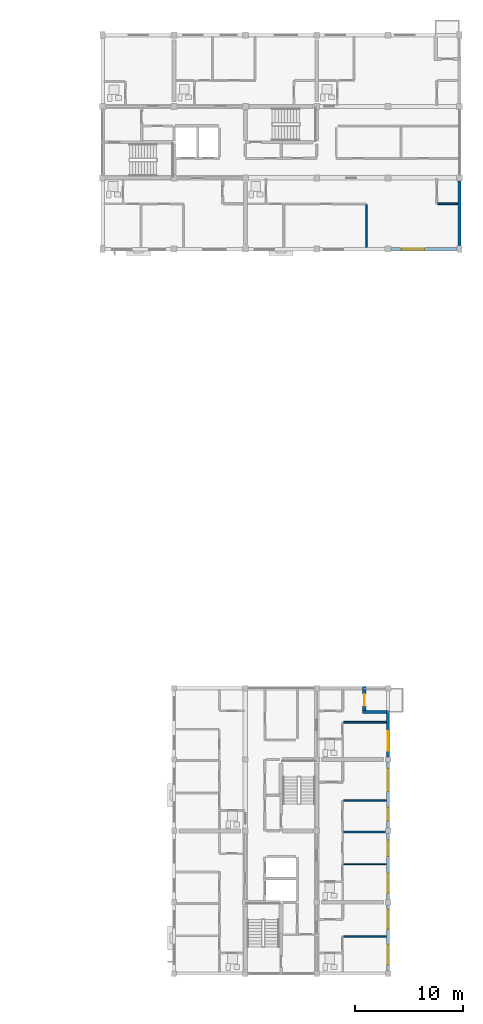
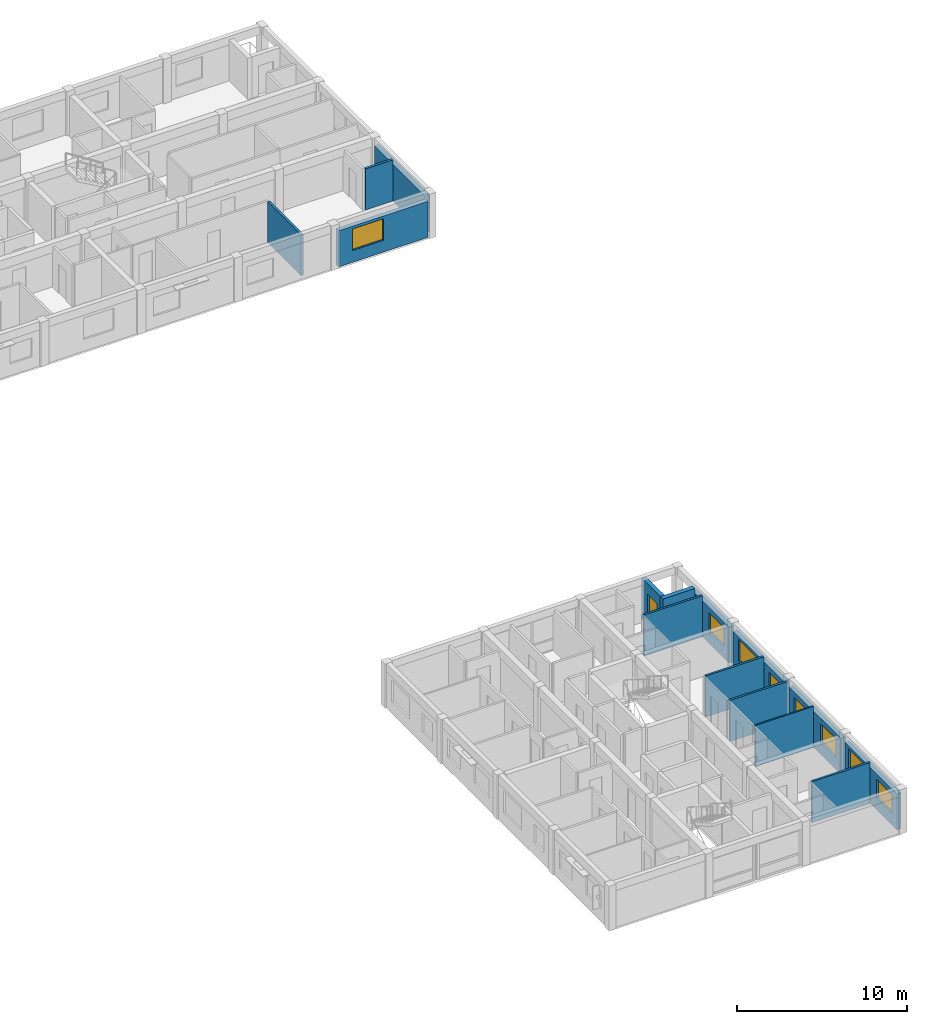
# One storey, part 39 of 52: 15 walls, 8 windows, 1 door, 9 openings.
"""IFC4 building model written with IfcOpenShell, lengths in metres."""

import ifcopenshell
import ifcopenshell.guid

model = None  # the IFC model being written
_history = None  # IfcOwnerHistory: only IFC2X3 demands one
_inside = {}  # id of a spatial element -> (the spatial element, [elements in it])
_under = {}  # id of a project, library or spatial element -> (it, [spatial elements below it])
_declared = {}  # id of a project -> (the project, [libraries it declares])
_typed = {}  # id of a type object -> (the type object, [elements of that type])
_made_of = {}  # id of a material, layer set ... -> (it, [elements and type objects made of it])


def new_model(schema):
    """Start an empty IFC model of exactly this schema.

    Asked for "IFC4X3", IfcOpenShell would pick the latest addendum, in which some entities
    have other attributes; the version numbers below select the first issue.
    IFC2X3 requires an IfcOwnerHistory on every rooted entity: one is made here for all.
    """
    global model, _history
    if schema == "IFC4X3":
        model = ifcopenshell.file(schema_version=(4, 3, 0, 0))
    else:
        model = ifcopenshell.file(schema=schema)
    _inside.clear()
    _under.clear()
    _declared.clear()
    _typed.clear()
    _made_of.clear()
    _history = None
    if model.schema == "IFC2X3":
        org = make("IfcOrganization", Name="unknown")
        user = make(
            "IfcPersonAndOrganization",
            ThePerson=make("IfcPerson", FamilyName="unknown"),
            TheOrganization=org,
        )
        app = make(
            "IfcApplication",
            ApplicationDeveloper=org,
            Version="unknown",
            ApplicationFullName="unknown",
            ApplicationIdentifier="unknown",
        )
        _history = make(
            "IfcOwnerHistory",
            OwningUser=user,
            OwningApplication=app,
            ChangeAction="ADDED",
            CreationDate=0,
        )
    return model


def make(cls, **values):
    """One entity of the class cls with the attributes given. An attribute that is None is left unset."""
    return model.create_entity(
        cls, **{name: value for name, value in values.items() if value is not None}
    )


def rooted(cls, **values):
    """An entity with a GlobalId (a new one), such as an element, a storey or a relation."""
    return make(cls, GlobalId=ifcopenshell.guid.new(), OwnerHistory=_history, **values)


def si_unit(unit_type, name, prefix=None):
    """IfcSIUnit, for example si_unit("LENGTHUNIT", "METRE", prefix="MILLI")."""
    return make("IfcSIUnit", UnitType=unit_type, Prefix=prefix, Name=name)


def assignment(units):
    """IfcUnitAssignment: the units of a project."""
    return None if units is None else make("IfcUnitAssignment", Units=units)


def point(xyz):
    """IfcCartesianPoint."""
    return None if xyz is None else make("IfcCartesianPoint", Coordinates=xyz)


def direction(xyz):
    """IfcDirection."""
    return None if xyz is None else make("IfcDirection", DirectionRatios=xyz)


def frame(location, z_axis=None, x_axis=None):
    """IfcAxis2Placement3D, a coordinate frame: its origin and axes. An axis left out is left unset."""
    return make(
        "IfcAxis2Placement3D",
        Location=point(location),
        Axis=direction(z_axis),
        RefDirection=direction(x_axis),
    )


def frame_2d(location, x_axis=None):
    """IfcAxis2Placement2D, a coordinate frame in the plane: its origin and x axis."""
    return make(
        "IfcAxis2Placement2D", Location=point(location), RefDirection=direction(x_axis)
    )


def origin():
    """The frame at (0, 0, 0) with its axes left unset."""
    return frame((0.0, 0.0, 0.0))


def place(relative_to, where):
    """IfcLocalPlacement: puts the frame where relative to a parent placement (None: the world)."""
    return make(
        "IfcLocalPlacement", PlacementRelTo=relative_to, RelativePlacement=where
    )


def context(
    kind, dimensions, precision=None, world=None, true_north=None, identifier=None
):
    """IfcGeometricRepresentationContext, for example the 3D "Model" context."""
    return make(
        "IfcGeometricRepresentationContext",
        ContextIdentifier=identifier,
        ContextType=kind,
        CoordinateSpaceDimension=dimensions,
        Precision=precision,
        WorldCoordinateSystem=world,
        TrueNorth=true_north,
    )


def subcontext(parent, identifier, kind, view, scale=None):
    """IfcGeometricRepresentationSubContext, for example "Body" below "Model"."""
    return make(
        "IfcGeometricRepresentationSubContext",
        ContextIdentifier=identifier,
        ContextType=kind,
        ParentContext=parent,
        TargetScale=scale,
        TargetView=view,
    )


def project(units=None, contexts=None):
    """IfcProject with its units and contexts."""
    return rooted(
        "IfcProject",
        Name="project",
        RepresentationContexts=contexts,
        UnitsInContext=assignment(units),
    )


def spatial(cls, under=None, at=None, **own):
    """A site, building, storey or space (cls), placed at a placement, below another one or the project."""
    s = rooted(cls, ObjectPlacement=at, **own)
    if under is not None:
        _under.setdefault(under.id(), (under, []))[1].append(s)
    return s


def profile(cls, at=None, kind="AREA", **sizes):
    """A parametric profile (cls). Its sizes go by their IFC names, for example OverallWidth=200.0."""
    return make(cls, ProfileType=kind, Position=at, **sizes)


def rectangle(**sizes):
    """IfcRectangleProfileDef."""
    return profile("IfcRectangleProfileDef", **sizes)


def extrude(swept, where, along, depth):
    """IfcExtrudedAreaSolid: the profile swept, set in the frame where, extruded along a direction by depth."""
    return make(
        "IfcExtrudedAreaSolid",
        SweptArea=swept,
        Position=where,
        ExtrudedDirection=direction(along),
        Depth=depth,
    )


def shape(context_of_items, identifier, shape_type, items):
    """IfcShapeRepresentation: the items that make up one representation, for example the "Body"."""
    return make(
        "IfcShapeRepresentation",
        ContextOfItems=context_of_items,
        RepresentationIdentifier=identifier,
        RepresentationType=shape_type,
        Items=items,
    )


def material(Name=None, Category=None):
    """IfcMaterial."""
    return make("IfcMaterial", Name=Name, Category=Category)


def layer(
    of_material, thickness, ventilated=None, Name=None, Category=None, Priority=None
):
    """IfcMaterialLayer: one layer of a wall or slab, of a material (None: an air gap)."""
    return make(
        "IfcMaterialLayer",
        Material=of_material,
        LayerThickness=thickness,
        IsVentilated=ventilated,
        Name=Name,
        Category=Category,
        Priority=Priority,
    )


def layer_set(layers, Name=None):
    """IfcMaterialLayerSet."""
    return make("IfcMaterialLayerSet", MaterialLayers=layers, LayerSetName=Name)


def made_of(thing, what):
    """Note that an element or type object is made of a material, layer set ...; save() writes the relation."""
    if what is not None:
        _made_of.setdefault(what.id(), (what, []))[1].append(thing)
    return thing


def type_object(cls, material=None, **own):
    """A type object (cls), such as IfcWallType, which elements share."""
    return made_of(rooted(cls, **own), material)


def element(
    cls,
    number,
    at=None,
    inside=None,
    cuts=None,
    type_object=None,
    material=None,
    context=None,
    identifier="Body",
    shape_type=None,
    held_by="IfcProductDefinitionShape",
    body=None,
    shapes=None,
    **own,
):
    """One element of the class cls, such as IfcWall. Its Tag is "e" and its number.

    at: its placement. inside: the storey or other place that contains it. cuts: it is an
    opening in that element (IfcRelVoidsElement). A single representation is given by context,
    identifier, shape_type and body (its items); several are given by shapes. held_by: the class
    of the entity that holds the representations. save() writes the other relations.
    """
    e = rooted(cls, Tag="e%d" % number, ObjectPlacement=at, **own)
    if body is not None:
        shapes = [shape(context, identifier, shape_type, body)]
    if shapes is not None:
        e.Representation = make(held_by, Representations=shapes)
    if inside is not None:
        _inside.setdefault(inside.id(), (inside, []))[1].append(e)
    if cuts is not None:
        rooted(
            "IfcRelVoidsElement", RelatingBuildingElement=cuts, RelatedOpeningElement=e
        )
    if type_object is not None:
        _typed.setdefault(type_object.id(), (type_object, []))[1].append(e)
    return made_of(e, material)


def fill(opening, filler):
    """IfcRelFillsElement: the door or window that sits in an opening."""
    return rooted(
        "IfcRelFillsElement",
        RelatingOpeningElement=opening,
        RelatedBuildingElement=filler,
    )


def aggregate(whole, parts):
    """IfcRelAggregates: a whole, such as a stair, and the parts it consists of."""
    return rooted("IfcRelAggregates", RelatingObject=whole, RelatedObjects=parts)


def save(model, path):
    """Write the relations noted so far, then the file.

    IfcRelAggregates (storeys below a building ...), IfcRelContainedInSpatialStructure (elements
    in a storey), IfcRelDefinesByType, IfcRelAssociatesMaterial and IfcRelDeclares: one each for
    every whole, place, type object, material and project.
    """
    for whole, parts in _under.values():
        aggregate(whole, parts)
    for where, things in _inside.values():
        rooted(
            "IfcRelContainedInSpatialStructure",
            RelatedElements=things,
            RelatingStructure=where,
        )
    for kind, things in _typed.values():
        rooted("IfcRelDefinesByType", RelatedObjects=things, RelatingType=kind)
    for what, things in _made_of.values():
        rooted("IfcRelAssociatesMaterial", RelatedObjects=things, RelatingMaterial=what)
    for by, libraries in _declared.values():
        rooted("IfcRelDeclares", RelatingContext=by, RelatedDefinitions=libraries)
    model.write(path)


model = new_model("IFC4")

# Units and contexts
model_context = context("Model", 3, precision=1e-05, world=origin(), true_north=direction((0.0, 1.0)))
body_context = subcontext(model_context, "Body", "Model", "MODEL_VIEW")
ifc_project = project(units=[si_unit("LENGTHUNIT", "METRE"), si_unit("AREAUNIT", "SQUARE_METRE"), si_unit("VOLUMEUNIT", "CUBIC_METRE"), si_unit("PLANEANGLEUNIT", "RADIAN"), si_unit("MASSUNIT", "GRAM", prefix="KILO")], contexts=[model_context])

# Site, building, storey
site_placement = place(None, origin())
site = spatial("IfcSite", under=ifc_project, at=site_placement, CompositionType="ELEMENT")
building_placement = place(site_placement, origin())
building = spatial("IfcBuilding", under=site, at=building_placement, Name="Kernevlak Ridge Housing Community", CompositionType="ELEMENT")
storey_placement = place(building_placement, frame((0.0, 0.0, 11.60009765625)))
storey = spatial("IfcBuildingStorey", under=building, at=storey_placement, Name="L03", CompositionType="ELEMENT", Elevation=11.60009765625)

# Wall, opening, window
ifc_material_1 = material(Name="Concrete block masonry M10", Category="masonry")
ifc_layer_1 = layer(ifc_material_1, 0.300048828125, Name="Concrete block masonry M10")
ifc_layer_set_1 = layer_set([ifc_layer_1], Name="Concrete block masonry M10")
wall_type_1 = type_object("IfcWallType", Name="EW-01", PredefinedType="STANDARD", material=ifc_layer_set_1)
wall_1_placement = place(storey_placement, frame((146.074951171875, 82.60009765625, 0.0), z_axis=(0.0, 0.0, 1.0), x_axis=(1.0, 0.0, 0.0)))
wall_1 = element("IfcWall", 1, at=wall_1_placement, inside=storey, type_object=wall_type_1, Name="Exterior wall EW-01 L03 343", PredefinedType="STANDARD", context=body_context, shape_type="SweptSolid", body=[
    extrude(rectangle(XDim=6.10009765625, YDim=0.300048828125, at=frame_2d((3.050048828125, 0.0))), origin(), (0.0, 0.0, 1.0), 2.599853515625),
])
opening_1_placement = place(wall_1_placement, frame((0.968994140625, 0.0, 0.85009765625)))
opening_1 = element("IfcOpeningElement", 2, at=opening_1_placement, cuts=wall_1, Name="Opening WT-05", PredefinedType="OPENING", context=body_context, shape_type="SweptSolid", body=[
    extrude(rectangle(XDim=2.10009765625, YDim=1.550048828125, at=frame_2d((1.050048828125, 0.77490234375))), frame((0.0, 0.159912109375, 0.0), z_axis=(0.0, -1.0, 0.0), x_axis=(1.0, 0.0, 0.0)), (0.0, 0.0, 1.0), 0.320068359375),
])
ifc_material_2 = material(Name="Aluminium EN AW-6060 anodised and laminated glass", Category="aluminium")
window_type_1 = type_object("IfcWindowType", Name="WT-05", PartitioningType="SINGLE_PANEL", PredefinedType="WINDOW", material=ifc_material_2)
window_1_placement = place(opening_1_placement, origin())
window_1 = element("IfcWindow", 3, at=window_1_placement, inside=storey, type_object=window_type_1, Name="Window WT-05 L03 264", OverallHeight=1.550048828125, OverallWidth=2.10009765625, PartitioningType="SINGLE_PANEL", PredefinedType="WINDOW", context=body_context, shape_type="SweptSolid", body=[
    extrude(rectangle(XDim=2.10009765625, YDim=1.550048828125, at=frame_2d((1.050048828125, 0.77490234375))), frame((0.0, 0.030029296875, 0.0), z_axis=(0.0, -1.0, 0.0), x_axis=(1.0, 0.0, 0.0)), (0.0, 0.0, 1.0), 0.06005859375),
])
fill(opening_1, window_1)

# Wall
wall_2_placement = place(storey_placement, frame((152.39990234375, 82.925048828125, 0.0), z_axis=(0.0, 0.0, 1.0), x_axis=(0.0, 1.0, 0.0)))
element("IfcWall", 4, at=wall_2_placement, inside=storey, type_object=wall_type_1, Name="Exterior wall EW-01 L03 353", PredefinedType="STANDARD", context=body_context, shape_type="SweptSolid", body=[
    extrude(rectangle(XDim=6.0, YDim=0.300048828125, at=frame_2d((3.0, 0.0))), origin(), (0.0, 0.0, 1.0), 2.64990234375),
])

# Wall, openings, windows
wall_3_placement = place(storey_placement, frame((145.800048828125, 15.85009765625, 0.0), z_axis=(0.0, 0.0, 1.0), x_axis=(0.0, 1.0, 0.0)))
wall_3 = element("IfcWall", 5, at=wall_3_placement, inside=storey, type_object=wall_type_1, Name="Exterior wall EW-01 L03 576", PredefinedType="STANDARD", context=body_context, shape_type="SweptSolid", body=[
    extrude(rectangle(XDim=6.099853515625, YDim=0.300048828125, at=frame_2d((3.0498046875, 0.0))), origin(), (0.0, 0.0, 1.0), 2.599853515625),
])
opening_2_placement = place(wall_3_placement, frame((0.574951171875, 0.0, 0.85009765625)))
opening_2 = element("IfcOpeningElement", 6, at=opening_2_placement, cuts=wall_3, Name="Opening WT-03", PredefinedType="OPENING", context=body_context, shape_type="SweptSolid", body=[
    extrude(rectangle(XDim=1.800048828125, YDim=1.35009765625, at=frame_2d((0.89990234375, 0.675048828125))), frame((0.0, 0.159912109375, 0.0), z_axis=(0.0, -1.0, 0.0), x_axis=(1.0, 0.0, 0.0)), (0.0, 0.0, 1.0), 0.320068359375),
])
opening_3_placement = place(wall_3_placement, frame((3.875, 0.0, 0.85009765625)))
opening_3 = element("IfcOpeningElement", 7, at=opening_3_placement, cuts=wall_3, Name="Opening WT-04", PredefinedType="OPENING", context=body_context, shape_type="SweptSolid", body=[
    extrude(rectangle(XDim=1.800048828125, YDim=1.550048828125, at=frame_2d((0.89990234375, 0.77490234375))), frame((0.0, 0.159912109375, 0.0), z_axis=(0.0, -1.0, 0.0), x_axis=(1.0, 0.0, 0.0)), (0.0, 0.0, 1.0), 0.320068359375),
])
window_type_2 = type_object("IfcWindowType", Name="WT-03", PartitioningType="SINGLE_PANEL", PredefinedType="WINDOW", material=ifc_material_2)
window_2_placement = place(opening_2_placement, origin())
window_2 = element("IfcWindow", 8, at=window_2_placement, inside=storey, type_object=window_type_2, Name="Window WT-03 L03 465", OverallHeight=1.35009765625, OverallWidth=1.800048828125, PartitioningType="SINGLE_PANEL", PredefinedType="WINDOW", context=body_context, shape_type="SweptSolid", body=[
    extrude(rectangle(XDim=1.800048828125, YDim=1.35009765625, at=frame_2d((0.89990234375, 0.675048828125))), frame((0.0, 0.030029296875, 0.0), z_axis=(0.0, -1.0, 0.0), x_axis=(1.0, 0.0, 0.0)), (0.0, 0.0, 1.0), 0.06005859375),
])
fill(opening_2, window_2)
window_type_3 = type_object("IfcWindowType", Name="WT-04", PartitioningType="SINGLE_PANEL", PredefinedType="WINDOW", material=ifc_material_2)
window_3_placement = place(opening_3_placement, origin())
window_3 = element("IfcWindow", 9, at=window_3_placement, inside=storey, type_object=window_type_3, Name="Window WT-04 L03 466", OverallHeight=1.550048828125, OverallWidth=1.800048828125, PartitioningType="SINGLE_PANEL", PredefinedType="WINDOW", context=body_context, shape_type="SweptSolid", body=[
    extrude(rectangle(XDim=1.800048828125, YDim=1.550048828125, at=frame_2d((0.89990234375, 0.77490234375))), frame((0.0, 0.030029296875, 0.0), z_axis=(0.0, -1.0, 0.0), x_axis=(1.0, 0.0, 0.0)), (0.0, 0.0, 1.0), 0.06005859375),
])
fill(opening_3, window_3)

wall_4_placement = place(storey_placement, frame((145.800048828125, 22.449951171875, 0.0), z_axis=(0.0, 0.0, 1.0), x_axis=(0.0, 1.0, 0.0)))
wall_4 = element("IfcWall", 10, at=wall_4_placement, inside=storey, type_object=wall_type_1, Name="Exterior wall EW-01 L03 577", PredefinedType="STANDARD", context=body_context, shape_type="SweptSolid", body=[
    extrude(rectangle(XDim=6.10009765625, YDim=0.300048828125, at=frame_2d((3.050048828125, 0.0))), origin(), (0.0, 0.0, 1.0), 2.599853515625),
])
opening_4_placement = place(wall_4_placement, frame((0.60009765625, 0.0, 0.85009765625)))
opening_4 = element("IfcOpeningElement", 11, at=opening_4_placement, cuts=wall_4, Name="Opening WT-03", PredefinedType="OPENING", context=body_context, shape_type="SweptSolid", body=[
    extrude(rectangle(XDim=1.800048828125, YDim=1.35009765625, at=frame_2d((0.89990234375, 0.675048828125))), frame((0.0, 0.159912109375, 0.0), z_axis=(0.0, -1.0, 0.0), x_axis=(1.0, 0.0, 0.0)), (0.0, 0.0, 1.0), 0.320068359375),
])
opening_5_placement = place(wall_4_placement, frame((4.0, 0.0, 0.85009765625)))
opening_5 = element("IfcOpeningElement", 12, at=opening_5_placement, cuts=wall_4, Name="Opening WT-02", PredefinedType="OPENING", context=body_context, shape_type="SweptSolid", body=[
    extrude(rectangle(XDim=1.5, YDim=1.35009765625, at=frame_2d((0.75, 0.675048828125))), frame((0.0, 0.159912109375, 0.0), z_axis=(0.0, -1.0, 0.0), x_axis=(1.0, 0.0, 0.0)), (0.0, 0.0, 1.0), 0.320068359375),
])
window_type_4 = type_object("IfcWindowType", Name="WT-02", PartitioningType="SINGLE_PANEL", PredefinedType="WINDOW", material=ifc_material_2)
window_4_placement = place(opening_5_placement, origin())
window_4 = element("IfcWindow", 13, at=window_4_placement, inside=storey, type_object=window_type_4, Name="Window WT-02 L03 468", OverallHeight=1.35009765625, OverallWidth=1.5, PartitioningType="SINGLE_PANEL", PredefinedType="WINDOW", context=body_context, shape_type="SweptSolid", body=[
    extrude(rectangle(XDim=1.5, YDim=1.35009765625, at=frame_2d((0.75, 0.675048828125))), frame((0.0, 0.030029296875, 0.0), z_axis=(0.0, -1.0, 0.0), x_axis=(1.0, 0.0, 0.0)), (0.0, 0.0, 1.0), 0.06005859375),
])
fill(opening_5, window_4)
window_5_placement = place(opening_4_placement, origin())
window_5 = element("IfcWindow", 14, at=window_5_placement, inside=storey, type_object=window_type_2, Name="Window WT-03 L03 467", OverallHeight=1.35009765625, OverallWidth=1.800048828125, PartitioningType="SINGLE_PANEL", PredefinedType="WINDOW", context=body_context, shape_type="SweptSolid", body=[
    extrude(rectangle(XDim=1.800048828125, YDim=1.35009765625, at=frame_2d((0.89990234375, 0.675048828125))), frame((0.0, 0.030029296875, 0.0), z_axis=(0.0, -1.0, 0.0), x_axis=(1.0, 0.0, 0.0)), (0.0, 0.0, 1.0), 0.06005859375),
])
fill(opening_4, window_5)

wall_5_placement = place(storey_placement, frame((145.800048828125, 29.050048828125, 0.0), z_axis=(0.0, 0.0, 1.0), x_axis=(0.0, 1.0, 0.0)))
wall_5 = element("IfcWall", 15, at=wall_5_placement, inside=storey, type_object=wall_type_1, Name="Exterior wall EW-01 L03 578", PredefinedType="STANDARD", context=body_context, shape_type="SweptSolid", body=[
    extrude(rectangle(XDim=6.099853515625, YDim=0.300048828125, at=frame_2d((3.0498046875, 0.0))), origin(), (0.0, 0.0, 1.0), 2.599853515625),
])
opening_6_placement = place(wall_5_placement, frame((0.699951171875, 0.0, 0.85009765625)))
opening_6 = element("IfcOpeningElement", 16, at=opening_6_placement, cuts=wall_5, Name="Opening WT-01", PredefinedType="OPENING", context=body_context, shape_type="SweptSolid", body=[
    extrude(rectangle(XDim=1.199951171875, YDim=1.35009765625, at=frame_2d((0.60009765625, 0.675048828125))), frame((0.0, 0.159912109375, 0.0), z_axis=(0.0, -1.0, 0.0), x_axis=(1.0, 0.0, 0.0)), (0.0, 0.0, 1.0), 0.320068359375),
])
opening_7_placement = place(wall_5_placement, frame((3.39990234375, 0.0, 0.85009765625)))
opening_7 = element("IfcOpeningElement", 17, at=opening_7_placement, cuts=wall_5, Name="Opening WT-05", PredefinedType="OPENING", context=body_context, shape_type="SweptSolid", body=[
    extrude(rectangle(XDim=2.10009765625, YDim=1.550048828125, at=frame_2d((1.050048828125, 0.77490234375))), frame((0.0, 0.159912109375, 0.0), z_axis=(0.0, -1.0, 0.0), x_axis=(1.0, 0.0, 0.0)), (0.0, 0.0, 1.0), 0.320068359375),
])
window_type_5 = type_object("IfcWindowType", Name="WT-01", PartitioningType="SINGLE_PANEL", PredefinedType="WINDOW", material=ifc_material_2)
window_6_placement = place(opening_6_placement, origin())
window_6 = element("IfcWindow", 18, at=window_6_placement, inside=storey, type_object=window_type_5, Name="Window WT-01 L03 469", OverallHeight=1.35009765625, OverallWidth=1.199951171875, PartitioningType="SINGLE_PANEL", PredefinedType="WINDOW", context=body_context, shape_type="SweptSolid", body=[
    extrude(rectangle(XDim=1.199951171875, YDim=1.35009765625, at=frame_2d((0.60009765625, 0.675048828125))), frame((0.0, 0.030029296875, 0.0), z_axis=(0.0, -1.0, 0.0), x_axis=(1.0, 0.0, 0.0)), (0.0, 0.0, 1.0), 0.06005859375),
])
fill(opening_6, window_6)
window_7_placement = place(opening_7_placement, origin())
window_7 = element("IfcWindow", 19, at=window_7_placement, inside=storey, type_object=window_type_1, Name="Window WT-05 L03 470", OverallHeight=1.550048828125, OverallWidth=2.10009765625, PartitioningType="SINGLE_PANEL", PredefinedType="WINDOW", context=body_context, shape_type="SweptSolid", body=[
    extrude(rectangle(XDim=2.10009765625, YDim=1.550048828125, at=frame_2d((1.050048828125, 0.77490234375))), frame((0.0, 0.030029296875, 0.0), z_axis=(0.0, -1.0, 0.0), x_axis=(1.0, 0.0, 0.0)), (0.0, 0.0, 1.0), 0.06005859375),
])
fill(opening_7, window_7)

# Wall, opening, window
wall_6_placement = place(storey_placement, frame((145.800048828125, 35.64990234375, 0.0), z_axis=(0.0, 0.0, 1.0), x_axis=(0.0, 1.0, 0.0)))
wall_6 = element("IfcWall", 20, at=wall_6_placement, inside=storey, type_object=wall_type_1, Name="Exterior wall EW-01 L03 579", PredefinedType="STANDARD", context=body_context, shape_type="SweptSolid", body=[
    extrude(rectangle(XDim=4.300048828125, YDim=0.300048828125, at=frame_2d((2.14990234375, 0.0))), origin(), (0.0, 0.0, 1.0), 2.599853515625),
])
opening_8_placement = place(wall_6_placement, frame((0.574951171875, 0.0, 0.85009765625)))
opening_8 = element("IfcOpeningElement", 21, at=opening_8_placement, cuts=wall_6, Name="Opening WT-03", PredefinedType="OPENING", context=body_context, shape_type="SweptSolid", body=[
    extrude(rectangle(XDim=1.800048828125, YDim=1.35009765625, at=frame_2d((0.89990234375, 0.675048828125))), frame((0.0, 0.159912109375, 0.0), z_axis=(0.0, -1.0, 0.0), x_axis=(1.0, 0.0, 0.0)), (0.0, 0.0, 1.0), 0.320068359375),
])
window_8_placement = place(opening_8_placement, origin())
window_8 = element("IfcWindow", 22, at=window_8_placement, inside=storey, type_object=window_type_2, Name="Window WT-03 L03 471", OverallHeight=1.35009765625, OverallWidth=1.800048828125, PartitioningType="SINGLE_PANEL", PredefinedType="WINDOW", context=body_context, shape_type="SweptSolid", body=[
    extrude(rectangle(XDim=1.800048828125, YDim=1.35009765625, at=frame_2d((0.89990234375, 0.675048828125))), frame((0.0, 0.030029296875, 0.0), z_axis=(0.0, -1.0, 0.0), x_axis=(1.0, 0.0, 0.0)), (0.0, 0.0, 1.0), 0.06005859375),
])
fill(opening_8, window_8)

# Wall
wall_7_placement = place(storey_placement, frame((145.64990234375, 39.800048828125, 0.0), z_axis=(0.0, 0.0, 1.0), x_axis=(-1.0, 0.0, 0.0)))
element("IfcWall", 23, at=wall_7_placement, inside=storey, type_object=wall_type_1, Name="Exterior wall EW-01 L03 580", PredefinedType="STANDARD", context=body_context, shape_type="SweptSolid", body=[
    extrude(rectangle(XDim=2.199951171875, YDim=0.300048828125, at=frame_2d((1.10009765625, 0.0))), origin(), (0.0, 0.0, 1.0), 2.9599609375),
])

# Wall, opening, door
wall_8_placement = place(storey_placement, frame((143.60009765625, 39.949951171875, 0.0), z_axis=(0.0, 0.0, 1.0), x_axis=(0.0, 1.0, 0.0)))
wall_8 = element("IfcWall", 24, at=wall_8_placement, inside=storey, type_object=wall_type_1, Name="Exterior wall EW-01 L03 581", PredefinedType="STANDARD", context=body_context, shape_type="SweptSolid", body=[
    extrude(rectangle(XDim=2.199951171875, YDim=0.300048828125, at=frame_2d((1.10009765625, 0.0))), origin(), (0.0, 0.0, 1.0), 2.9599609375),
])
opening_9_placement = place(wall_8_placement, frame((0.409912109375, 0.0, 0.0)))
opening_9 = element("IfcOpeningElement", 25, at=opening_9_placement, cuts=wall_8, Name="Opening E198", PredefinedType="OPENING", context=body_context, shape_type="SweptSolid", body=[
    extrude(rectangle(XDim=1.080078125, YDim=2.219970703125, at=frame_2d((0.5400390625, 1.10986328125))), frame((0.0, 0.159912109375, 0.0), z_axis=(0.0, -1.0, 0.0), x_axis=(1.0, 0.0, 0.0)), (0.0, 0.0, 1.0), 0.320068359375),
])
ifc_material_3 = material(Name="Aluminium EN AW-6060 and laminated safety glass", Category="aluminium")
door_type = type_object("IfcDoorType", Name="DT-34", OperationType="NOTDEFINED", PredefinedType="DOOR", material=ifc_material_3)
door_placement = place(opening_9_placement, origin())
door = element("IfcDoor", 26, at=door_placement, inside=storey, type_object=door_type, Name="Flat C0323 corner balcony glazed door E198", OperationType="SINGLE_SWING_LEFT", OverallHeight=2.219970703125, OverallWidth=1.080078125, PredefinedType="DOOR", context=body_context, shape_type="SweptSolid", body=[
    extrude(rectangle(XDim=1.080078125, YDim=2.219970703125, at=frame_2d((0.5400390625, 1.10986328125))), frame((0.0, 0.02490234375, 0.0), z_axis=(0.0, -1.0, 0.0), x_axis=(1.0, 0.0, 0.0)), (0.0, 0.0, 1.0), 0.050048828125),
])
fill(opening_9, door)

# Walls
ifc_layer_2 = layer(ifc_material_1, 0.14501953125, Name="Concrete block masonry M10")
ifc_layer_set_2 = layer_set([ifc_layer_2], Name="Concrete block masonry M10")
wall_type_2 = type_object("IfcWallType", Name="PW-03", PredefinedType="PARTITIONING", material=ifc_layer_set_2)
wall_9_placement = place(storey_placement, frame((143.7880859375, 86.717529296875, 0.0), z_axis=(0.0, 0.0, 1.0), x_axis=(0.0, -1.0, 0.0)))
element("IfcWall", 27, at=wall_9_placement, inside=storey, type_object=wall_type_2, Name="Interior wall PW-03 WAL-INT-L03-1364", PredefinedType="PARTITIONING", context=body_context, shape_type="SweptSolid", body=[
    extrude(rectangle(XDim=3.95751953125, YDim=0.14501953125, at=frame_2d((1.978759765625, 0.0))), origin(), (0.0, 0.0, 1.0), 2.9599609375),
])
wall_10_placement = place(storey_placement, frame((141.6826171875, 19.050048828125, 0.0), z_axis=(0.0, 0.0, 1.0), x_axis=(1.0, 0.0, 0.0)))
element("IfcWall", 28, at=wall_10_placement, inside=storey, type_object=wall_type_2, Name="Interior wall PW-03 WAL-INT-L03-2344", PredefinedType="PARTITIONING", context=body_context, shape_type="SweptSolid", body=[
    extrude(rectangle(XDim=3.957275390625, YDim=0.14501953125, at=frame_2d((1.978515625, 0.0))), origin(), (0.0, 0.0, 1.0), 2.9599609375),
])
wall_11_placement = place(storey_placement, frame((141.6826171875, 28.699951171875, 0.0), z_axis=(0.0, 0.0, 1.0), x_axis=(1.0, 0.0, 0.0)))
element("IfcWall", 29, at=wall_11_placement, inside=storey, type_object=wall_type_2, Name="Interior wall PW-03 WAL-INT-L03-2353", PredefinedType="PARTITIONING", context=body_context, shape_type="SweptSolid", body=[
    extrude(rectangle(XDim=4.037353515625, YDim=0.14501953125, at=frame_2d((2.0185546875, 0.0))), origin(), (0.0, 0.0, 1.0), 2.9599609375),
])
wall_12_placement = place(storey_placement, frame((141.6826171875, 31.60009765625, 0.0), z_axis=(0.0, 0.0, 1.0), x_axis=(1.0, 0.0, 0.0)))
element("IfcWall", 30, at=wall_12_placement, inside=storey, type_object=wall_type_2, Name="Interior wall PW-03 WAL-INT-L03-2355", PredefinedType="PARTITIONING", context=body_context, shape_type="SweptSolid", body=[
    extrude(rectangle(XDim=3.957275390625, YDim=0.14501953125, at=frame_2d((1.978515625, 0.0))), origin(), (0.0, 0.0, 1.0), 2.9599609375),
])
wall_13_placement = place(storey_placement, frame((141.679931640625, 38.85009765625, 0.0), z_axis=(0.0, 0.0, 1.0), x_axis=(1.0, 0.0, 0.0)))
element("IfcWall", 31, at=wall_13_placement, inside=storey, type_object=wall_type_2, Name="Interior wall PW-03 WAL-INT-L03-2362", PredefinedType="PARTITIONING", context=body_context, shape_type="SweptSolid", body=[
    extrude(rectangle(XDim=3.9599609375, YDim=0.14501953125, at=frame_2d((1.97998046875, 0.0))), origin(), (0.0, 0.0, 1.0), 2.9599609375),
])
ifc_material_4 = material(Name="Gypsum plasterboard EN 520", Category="gypsum")
ifc_layer_3 = layer(ifc_material_4, 0.155029296875, Name="Gypsum plasterboard EN 520")
ifc_layer_set_3 = layer_set([ifc_layer_3], Name="Gypsum plasterboard EN 520")
wall_type_3 = type_object("IfcWallType", Name="PW-05", PredefinedType="PARTITIONING", material=ifc_layer_set_3)
wall_14_placement = place(storey_placement, frame((150.387451171875, 86.800048828125, 0.0), z_axis=(0.0, 0.0, 1.0), x_axis=(1.0, 0.0, 0.0)))
element("IfcWall", 32, at=wall_14_placement, inside=storey, type_object=wall_type_3, Name="Interior wall PW-05 WAL-INT-L03-1360", PredefinedType="PARTITIONING", context=body_context, shape_type="SweptSolid", body=[
    extrude(rectangle(XDim=1.8525390625, YDim=0.155029296875, at=frame_2d((0.92626953125, 0.0))), origin(), (0.0, 0.0, 1.0), 2.9599609375),
])
ifc_layer_4 = layer(ifc_material_4, 0.10498046875, Name="Gypsum plasterboard EN 520")
ifc_layer_set_4 = layer_set([ifc_layer_4], Name="Gypsum plasterboard EN 520")
wall_type_4 = type_object("IfcWallType", Name="PW-06", PredefinedType="PARTITIONING", material=ifc_layer_set_4)
wall_15_placement = place(storey_placement, frame((141.6826171875, 25.699951171875, 0.0), z_axis=(0.0, 0.0, 1.0), x_axis=(1.0, 0.0, 0.0)))
element("IfcWall", 33, at=wall_15_placement, inside=storey, type_object=wall_type_4, Name="Interior wall PW-06 WAL-INT-L03-2351", PredefinedType="PARTITIONING", context=body_context, shape_type="SweptSolid", body=[
    extrude(rectangle(XDim=3.957275390625, YDim=0.10498046875, at=frame_2d((1.978515625, 0.0))), origin(), (0.0, 0.0, 1.0), 2.9599609375),
])

save(model, "model.ifc")
